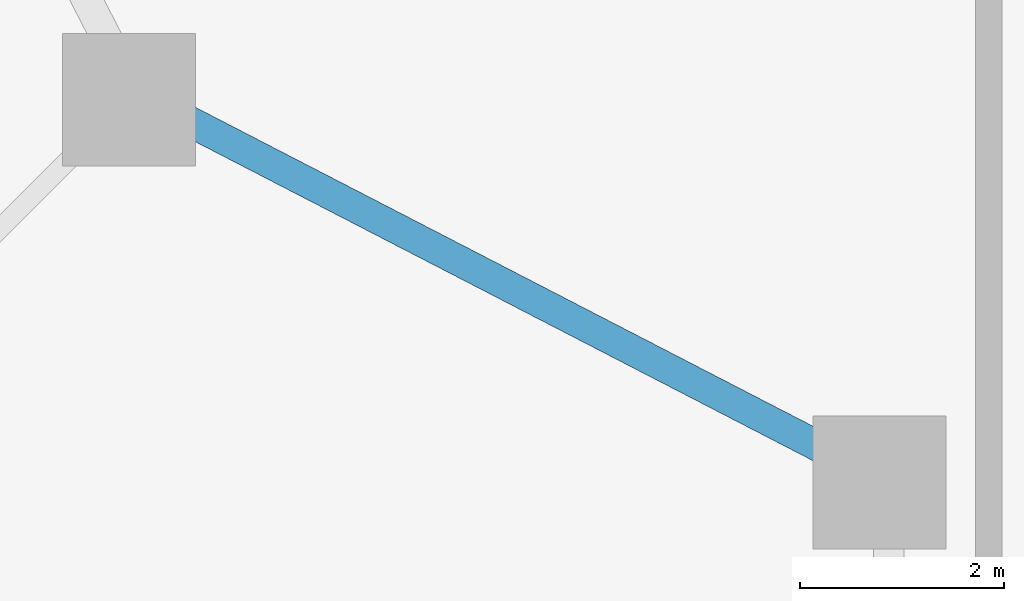
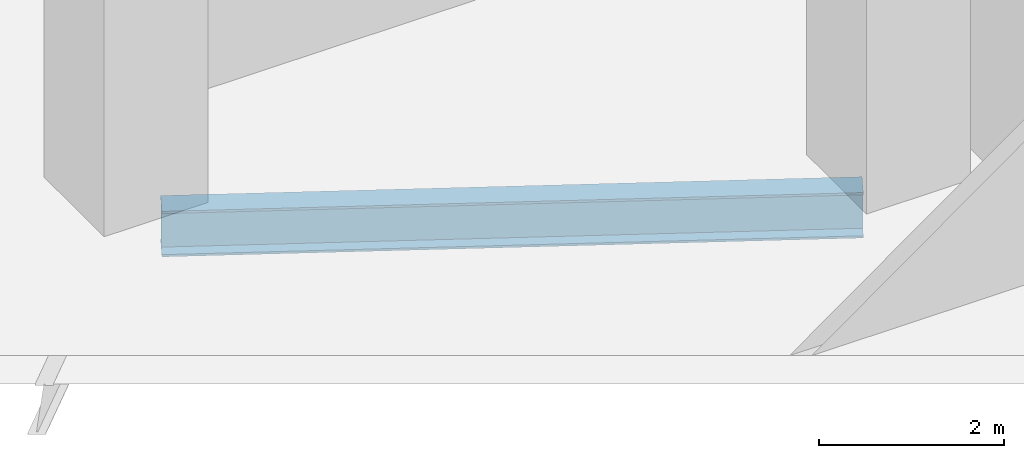
# One storey, part 26 of 34: 1 beam.
"""IFC4 building model written with IfcOpenShell, lengths in metres."""

from ifc_helpers import new_model, si_unit, direction, frame, origin, origin_2d, place, context, subcontext, project, spatial, i_section, extrude, material, material_profile, profile_set, type_object, element, save


model = new_model("IFC4")

# Units and contexts
model_context = context("Model", 3, precision=1e-05, world=origin(), true_north=direction((0.0, 1.0)))
body_context = subcontext(model_context, "Body", "Model", "MODEL_VIEW")
ifc_project = project(units=[si_unit("LENGTHUNIT", "METRE"), si_unit("AREAUNIT", "SQUARE_METRE"), si_unit("VOLUMEUNIT", "CUBIC_METRE"), si_unit("PLANEANGLEUNIT", "RADIAN"), si_unit("MASSUNIT", "GRAM", prefix="KILO")], contexts=[model_context])

# Site, building, storey
site_placement = place(None, origin())
site = spatial("IfcSite", under=ifc_project, at=site_placement, CompositionType="ELEMENT")
building_placement = place(site_placement, origin())
building = spatial("IfcBuilding", under=site, at=building_placement, Name="Belovzor Exchange Tower", CompositionType="ELEMENT")
storey_placement = place(building_placement, frame((0.0, 0.0, 113.39990234375)))
storey = spatial("IfcBuildingStorey", under=building, at=storey_placement, Name="L27", CompositionType="ELEMENT", Elevation=113.39990234375)

# Beam
ifc_material = material(Name="Steel S355", Category="steel")
ifc_material_profile = material_profile(ifc_material, i_section(OverallWidth=0.300048828125, OverallDepth=0.60009765625, WebThickness=0.015380859375, FlangeThickness=0.030029296875, at=origin_2d()))
ifc_profile_set = profile_set([ifc_material_profile], Name="Steel S355")
beam_type = type_object("IfcBeamType", Name="Zone 2 Primary Perimeter Girder HEB 600", PredefinedType="BEAM", material=ifc_profile_set)
beam_placement = place(storey_placement, frame((53.47412109375, 42.763916015625, -0.5498046875), z_axis=(-0.888523812921, 0.458830506694, 0.0), x_axis=(-0.458830506694, -0.888523812921, 0.0)))
element("IfcBeam", 1, at=beam_placement, inside=storey, type_object=beam_type, Name="FG-Z2 Zone 2 Primary Perimeter Girder HEB 600", PredefinedType="BEAM", context=body_context, shape_type="SweptSolid", body=[
    extrude(i_section(OverallWidth=0.300048828125, OverallDepth=0.60009765625, WebThickness=0.015380859375, FlangeThickness=0.030029296875, at=origin_2d()), origin(), (0.0, 0.0, 1.0), 7.59130859375),
])

save(model, "model.ifc")
